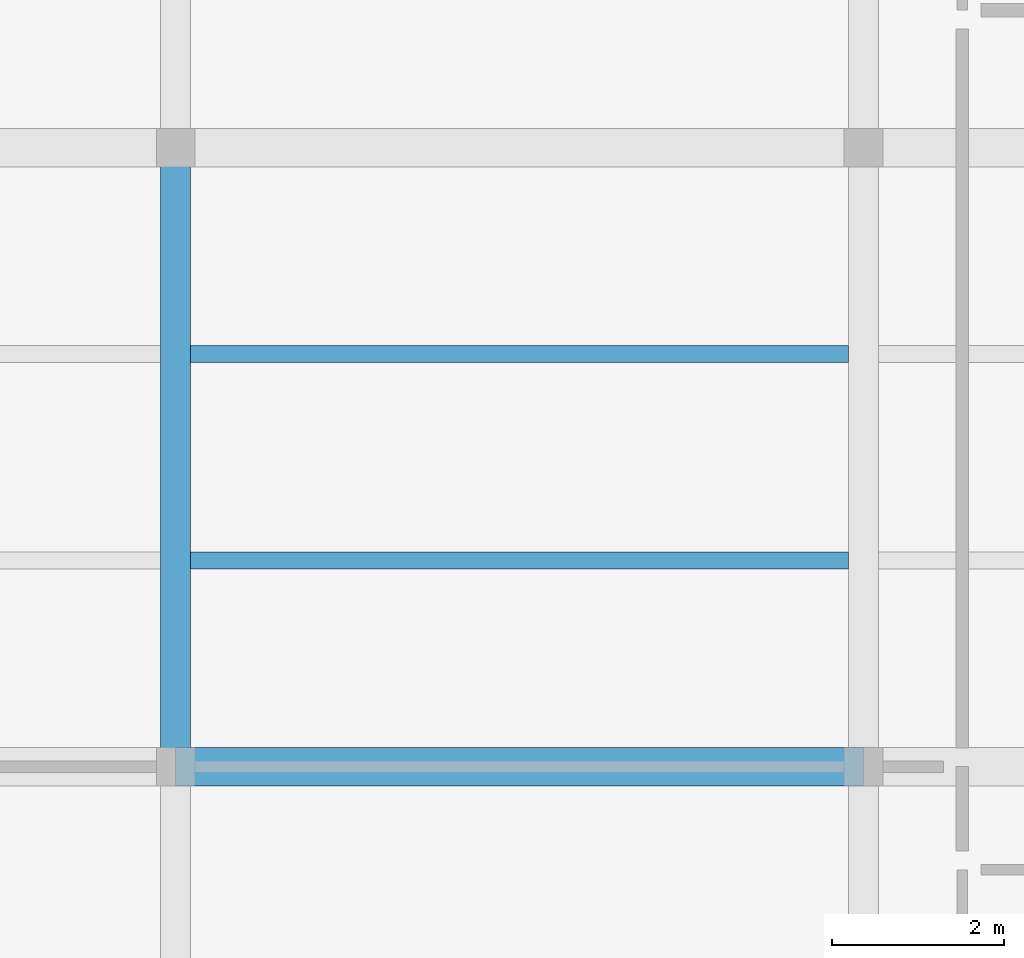
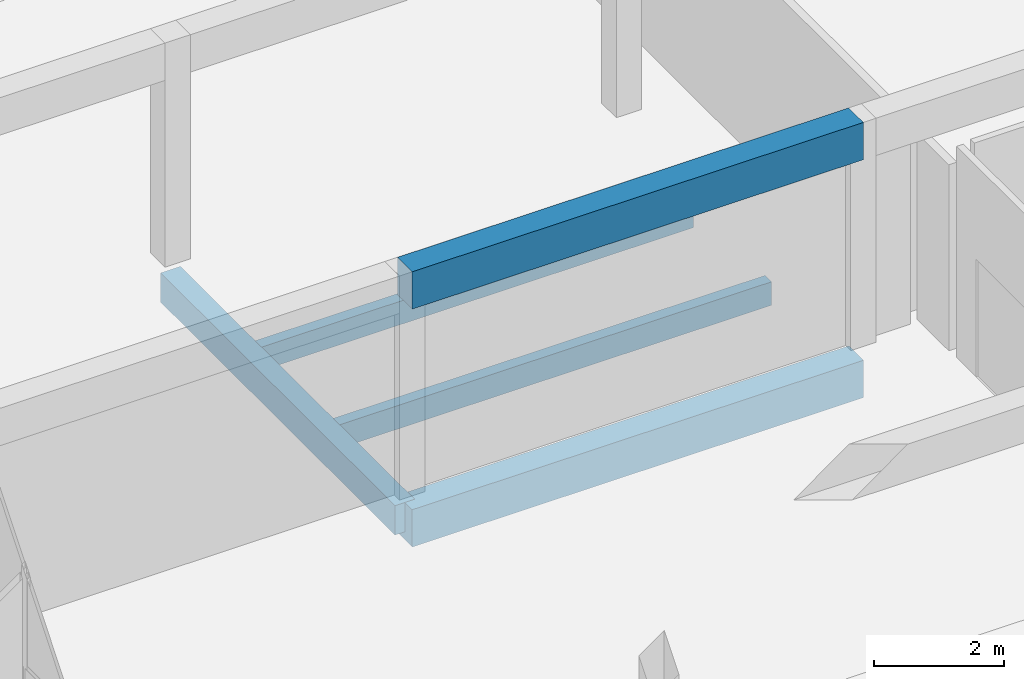
# One storey, part 22 of 107: 5 beams.
"""IFC4 building model written with IfcOpenShell, lengths in metres."""

from ifc_helpers import new_model, si_unit, direction, frame, origin, origin_2d, place, context, subcontext, project, spatial, rectangle, extrude, material, material_profile, profile_set, type_object, element, save


model = new_model("IFC4")

# Units and contexts
model_context = context("Model", 3, precision=1e-05, world=origin(), true_north=direction((0.0, 1.0)))
body_context = subcontext(model_context, "Body", "Model", "MODEL_VIEW")
ifc_project = project(units=[si_unit("LENGTHUNIT", "METRE"), si_unit("AREAUNIT", "SQUARE_METRE"), si_unit("VOLUMEUNIT", "CUBIC_METRE"), si_unit("PLANEANGLEUNIT", "RADIAN"), si_unit("MASSUNIT", "GRAM", prefix="KILO")], contexts=[model_context])

# Site, building, storey
site_placement = place(None, origin())
site = spatial("IfcSite", under=ifc_project, at=site_placement, CompositionType="ELEMENT")
building_placement = place(site_placement, origin())
building = spatial("IfcBuilding", under=site, at=building_placement, Name="Chiffa Square Polytechnic", CompositionType="ELEMENT")
storey_placement = place(building_placement, frame((0.0, 0.0, 13.800048828125)))
storey = spatial("IfcBuildingStorey", under=building, at=storey_placement, Name="L03", CompositionType="ELEMENT", Elevation=13.800048828125)

# Beams
ifc_material_1 = material(Name="Concrete C35/45", Category="concrete")
ifc_material_profile_1 = material_profile(ifc_material_1, rectangle(XDim=0.35009765625, YDim=0.550048828125, at=origin_2d()), Name="RC 350x550")
ifc_profile_set_1 = profile_set([ifc_material_profile_1], Name="Concrete C35/45")
beam_type_1 = type_object("IfcBeamType", Name="BM-RC-350X550", PredefinedType="BEAM", material=ifc_profile_set_1)
beam_placement = place(storey_placement, frame((8.0, 65.39990234375, -0.53515625), z_axis=(0.0, 1.0, 0.0), x_axis=(-1.0, 0.0, 0.0)))
element("IfcBeam", 1, at=beam_placement, inside=storey, type_object=beam_type_1, Name="Primary floor girder BM-V6-L03-Y-0080-0654", PredefinedType="BEAM", context=body_context, shape_type="SweptSolid", body=[
    extrude(rectangle(XDim=0.35009765625, YDim=0.550048828125, at=origin_2d()), origin(), (0.0, 0.0, 1.0), 7.2001953125),
])
ifc_material_profile_2 = material_profile(ifc_material_1, rectangle(XDim=0.449951171875, YDim=0.699951171875, at=origin_2d()), Name="RC 450x700")
ifc_profile_set_2 = profile_set([ifc_material_profile_2], Name="Concrete C35/45")
beam_type_2 = type_object("IfcBeamType", Name="BM-RC-450X700", PredefinedType="BEAM", material=ifc_profile_set_2)
for number, where, z_axis, x_axis, name in (
    (2, (8.0, 65.39990234375, -0.610107421875), (1.0, 0.0, 0.0), (0.0, 1.0, 0.0), "Primary floor girder BM-V6-L03-X-0080-0654"),
    (3, (8.0, 65.39990234375, 3.849853515625), (1.0, 0.0, 0.0), (0.0, 1.0, 0.0), "Sawtooth monitor sill beam BM-V6-SAWTIE-Y4-2"),
):
    element("IfcBeam", number, at=place(storey_placement, frame(where, z_axis=z_axis, x_axis=x_axis)), inside=storey, type_object=beam_type_2, Name=name, PredefinedType="BEAM", context=body_context, shape_type="SweptSolid", body=[
        extrude(rectangle(XDim=0.449951171875, YDim=0.699951171875, at=origin_2d()), origin(), (0.0, 0.0, 1.0), 8.0),
    ])
ifc_material_2 = material(Name="Glulam GL28h", Category="wood")
ifc_material_profile_3 = material_profile(ifc_material_2, rectangle(XDim=0.199951171875, YDim=0.43994140625, at=origin_2d()), Name="GL28h 200x440")
ifc_profile_set_3 = profile_set([ifc_material_profile_3], Name="Glulam GL28h")
beam_type_3 = type_object("IfcBeamType", Name="JST-GL-200X440", PredefinedType="JOIST", material=ifc_profile_set_3)
for number, where, z_axis, x_axis, name in (
    (4, (8.173095703125, 67.800048828125, -0.47998046875), (1.0, 0.0, 0.0), (0.0, 1.0, 0.0), "Secondary floor joist JST-V6-L03-0080-0678"),
    (5, (8.173095703125, 70.199951171875, -0.47998046875), (1.0, 0.0, 0.0), (0.0, 1.0, 0.0), "Secondary floor joist JST-V6-L03-0080-0702"),
):
    element("IfcBeam", number, at=place(storey_placement, frame(where, z_axis=z_axis, x_axis=x_axis)), inside=storey, type_object=beam_type_3, Name=name, PredefinedType="JOIST", context=body_context, shape_type="SweptSolid", body=[
        extrude(rectangle(XDim=0.199951171875, YDim=0.43994140625, at=origin_2d()), origin(), (0.0, 0.0, 1.0), 7.65380859375),
    ])

save(model, "model.ifc")
